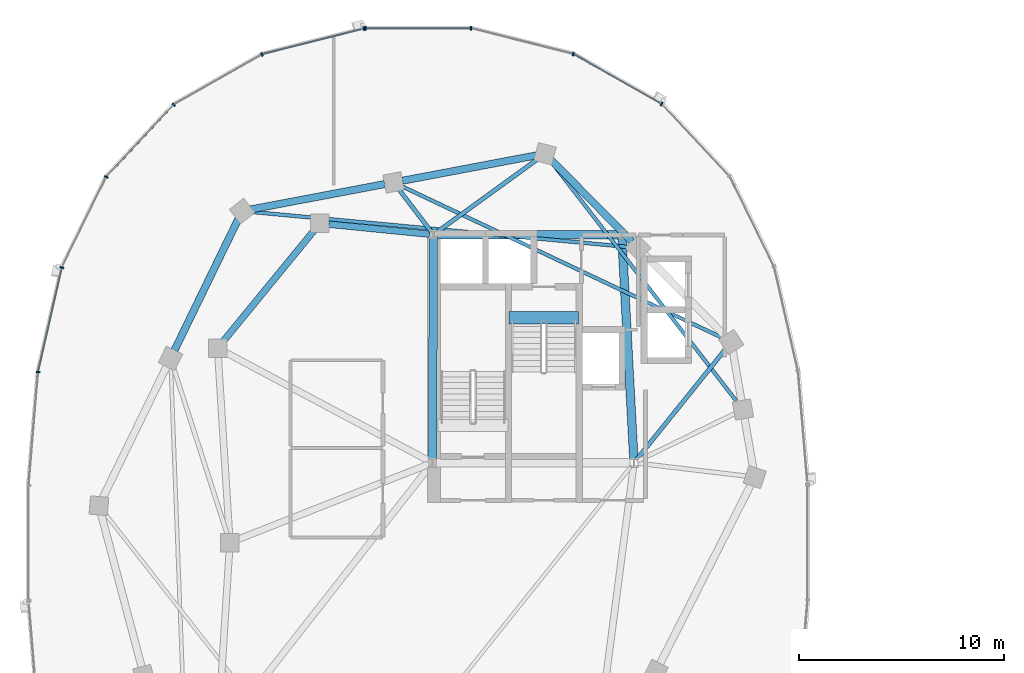
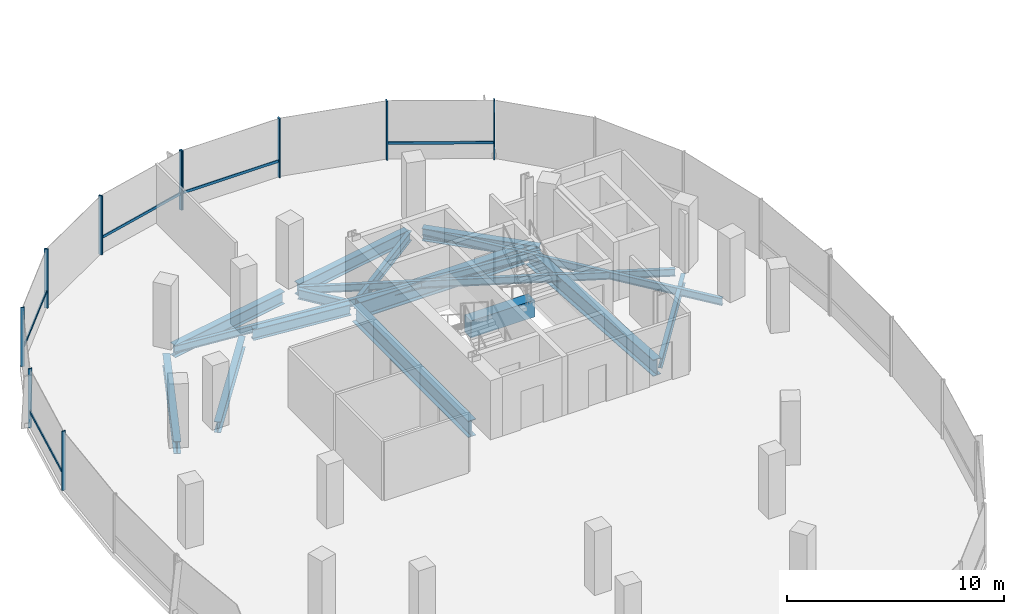
# One storey, part 6 of 24: 16 beams, 15 members, 2 elements without a shape of their own.
"""IFC4 building model written with IfcOpenShell, lengths in metres."""

import ifcopenshell
import ifcopenshell.guid

model = None  # the IFC model being written
_history = None  # IfcOwnerHistory: only IFC2X3 demands one
_inside = {}  # id of a spatial element -> (the spatial element, [elements in it])
_under = {}  # id of a project, library or spatial element -> (it, [spatial elements below it])
_declared = {}  # id of a project -> (the project, [libraries it declares])
_typed = {}  # id of a type object -> (the type object, [elements of that type])
_made_of = {}  # id of a material, layer set ... -> (it, [elements and type objects made of it])


def new_model(schema):
    """Start an empty IFC model of exactly this schema.

    Asked for "IFC4X3", IfcOpenShell would pick the latest addendum, in which some entities
    have other attributes; the version numbers below select the first issue.
    IFC2X3 requires an IfcOwnerHistory on every rooted entity: one is made here for all.
    """
    global model, _history
    if schema == "IFC4X3":
        model = ifcopenshell.file(schema_version=(4, 3, 0, 0))
    else:
        model = ifcopenshell.file(schema=schema)
    _inside.clear()
    _under.clear()
    _declared.clear()
    _typed.clear()
    _made_of.clear()
    _history = None
    if model.schema == "IFC2X3":
        org = make("IfcOrganization", Name="unknown")
        user = make(
            "IfcPersonAndOrganization",
            ThePerson=make("IfcPerson", FamilyName="unknown"),
            TheOrganization=org,
        )
        app = make(
            "IfcApplication",
            ApplicationDeveloper=org,
            Version="unknown",
            ApplicationFullName="unknown",
            ApplicationIdentifier="unknown",
        )
        _history = make(
            "IfcOwnerHistory",
            OwningUser=user,
            OwningApplication=app,
            ChangeAction="ADDED",
            CreationDate=0,
        )
    return model


def make(cls, **values):
    """One entity of the class cls with the attributes given. An attribute that is None is left unset."""
    return model.create_entity(
        cls, **{name: value for name, value in values.items() if value is not None}
    )


def rooted(cls, **values):
    """An entity with a GlobalId (a new one), such as an element, a storey or a relation."""
    return make(cls, GlobalId=ifcopenshell.guid.new(), OwnerHistory=_history, **values)


def si_unit(unit_type, name, prefix=None):
    """IfcSIUnit, for example si_unit("LENGTHUNIT", "METRE", prefix="MILLI")."""
    return make("IfcSIUnit", UnitType=unit_type, Prefix=prefix, Name=name)


def assignment(units):
    """IfcUnitAssignment: the units of a project."""
    return None if units is None else make("IfcUnitAssignment", Units=units)


def point(xyz):
    """IfcCartesianPoint."""
    return None if xyz is None else make("IfcCartesianPoint", Coordinates=xyz)


def direction(xyz):
    """IfcDirection."""
    return None if xyz is None else make("IfcDirection", DirectionRatios=xyz)


def frame(location, z_axis=None, x_axis=None):
    """IfcAxis2Placement3D, a coordinate frame: its origin and axes. An axis left out is left unset."""
    return make(
        "IfcAxis2Placement3D",
        Location=point(location),
        Axis=direction(z_axis),
        RefDirection=direction(x_axis),
    )


def frame_2d(location, x_axis=None):
    """IfcAxis2Placement2D, a coordinate frame in the plane: its origin and x axis."""
    return make(
        "IfcAxis2Placement2D", Location=point(location), RefDirection=direction(x_axis)
    )


def origin():
    """The frame at (0, 0, 0) with its axes left unset."""
    return frame((0.0, 0.0, 0.0))


def origin_2d():
    """The frame at (0, 0) in the plane with its x axis left unset."""
    return frame_2d((0.0, 0.0))


def place(relative_to, where):
    """IfcLocalPlacement: puts the frame where relative to a parent placement (None: the world)."""
    return make(
        "IfcLocalPlacement", PlacementRelTo=relative_to, RelativePlacement=where
    )


def context(
    kind, dimensions, precision=None, world=None, true_north=None, identifier=None
):
    """IfcGeometricRepresentationContext, for example the 3D "Model" context."""
    return make(
        "IfcGeometricRepresentationContext",
        ContextIdentifier=identifier,
        ContextType=kind,
        CoordinateSpaceDimension=dimensions,
        Precision=precision,
        WorldCoordinateSystem=world,
        TrueNorth=true_north,
    )


def subcontext(parent, identifier, kind, view, scale=None):
    """IfcGeometricRepresentationSubContext, for example "Body" below "Model"."""
    return make(
        "IfcGeometricRepresentationSubContext",
        ContextIdentifier=identifier,
        ContextType=kind,
        ParentContext=parent,
        TargetScale=scale,
        TargetView=view,
    )


def project(units=None, contexts=None):
    """IfcProject with its units and contexts."""
    return rooted(
        "IfcProject",
        Name="project",
        RepresentationContexts=contexts,
        UnitsInContext=assignment(units),
    )


def spatial(cls, under=None, at=None, **own):
    """A site, building, storey or space (cls), placed at a placement, below another one or the project."""
    s = rooted(cls, ObjectPlacement=at, **own)
    if under is not None:
        _under.setdefault(under.id(), (under, []))[1].append(s)
    return s


def profile(cls, at=None, kind="AREA", **sizes):
    """A parametric profile (cls). Its sizes go by their IFC names, for example OverallWidth=200.0."""
    return make(cls, ProfileType=kind, Position=at, **sizes)


def rectangle(**sizes):
    """IfcRectangleProfileDef."""
    return profile("IfcRectangleProfileDef", **sizes)


def i_section(**sizes):
    """IfcIShapeProfileDef."""
    return profile("IfcIShapeProfileDef", **sizes)


def extrude(swept, where, along, depth):
    """IfcExtrudedAreaSolid: the profile swept, set in the frame where, extruded along a direction by depth."""
    return make(
        "IfcExtrudedAreaSolid",
        SweptArea=swept,
        Position=where,
        ExtrudedDirection=direction(along),
        Depth=depth,
    )


def shape(context_of_items, identifier, shape_type, items):
    """IfcShapeRepresentation: the items that make up one representation, for example the "Body"."""
    return make(
        "IfcShapeRepresentation",
        ContextOfItems=context_of_items,
        RepresentationIdentifier=identifier,
        RepresentationType=shape_type,
        Items=items,
    )


def material(Name=None, Category=None):
    """IfcMaterial."""
    return make("IfcMaterial", Name=Name, Category=Category)


def material_profile(
    of_material, cross_section, Name=None, Category=None, Priority=None
):
    """IfcMaterialProfile: a cross section and its material."""
    return make(
        "IfcMaterialProfile",
        Name=Name,
        Material=of_material,
        Profile=cross_section,
        Priority=Priority,
        Category=Category,
    )


def profile_set(profiles, Name=None, composite=None):
    """IfcMaterialProfileSet."""
    return make(
        "IfcMaterialProfileSet",
        Name=Name,
        MaterialProfiles=profiles,
        CompositeProfile=composite,
    )


def made_of(thing, what):
    """Note that an element or type object is made of a material, layer set ...; save() writes the relation."""
    if what is not None:
        _made_of.setdefault(what.id(), (what, []))[1].append(thing)
    return thing


def type_object(cls, material=None, **own):
    """A type object (cls), such as IfcWallType, which elements share."""
    return made_of(rooted(cls, **own), material)


def element(
    cls,
    number,
    at=None,
    inside=None,
    cuts=None,
    type_object=None,
    material=None,
    context=None,
    identifier="Body",
    shape_type=None,
    held_by="IfcProductDefinitionShape",
    body=None,
    shapes=None,
    **own,
):
    """One element of the class cls, such as IfcWall. Its Tag is "e" and its number.

    at: its placement. inside: the storey or other place that contains it. cuts: it is an
    opening in that element (IfcRelVoidsElement). A single representation is given by context,
    identifier, shape_type and body (its items); several are given by shapes. held_by: the class
    of the entity that holds the representations. save() writes the other relations.
    """
    e = rooted(cls, Tag="e%d" % number, ObjectPlacement=at, **own)
    if body is not None:
        shapes = [shape(context, identifier, shape_type, body)]
    if shapes is not None:
        e.Representation = make(held_by, Representations=shapes)
    if inside is not None:
        _inside.setdefault(inside.id(), (inside, []))[1].append(e)
    if cuts is not None:
        rooted(
            "IfcRelVoidsElement", RelatingBuildingElement=cuts, RelatedOpeningElement=e
        )
    if type_object is not None:
        _typed.setdefault(type_object.id(), (type_object, []))[1].append(e)
    return made_of(e, material)


def aggregate(whole, parts):
    """IfcRelAggregates: a whole, such as a stair, and the parts it consists of."""
    return rooted("IfcRelAggregates", RelatingObject=whole, RelatedObjects=parts)


def save(model, path):
    """Write the relations noted so far, then the file.

    IfcRelAggregates (storeys below a building ...), IfcRelContainedInSpatialStructure (elements
    in a storey), IfcRelDefinesByType, IfcRelAssociatesMaterial and IfcRelDeclares: one each for
    every whole, place, type object, material and project.
    """
    for whole, parts in _under.values():
        aggregate(whole, parts)
    for where, things in _inside.values():
        rooted(
            "IfcRelContainedInSpatialStructure",
            RelatedElements=things,
            RelatingStructure=where,
        )
    for kind, things in _typed.values():
        rooted("IfcRelDefinesByType", RelatedObjects=things, RelatingType=kind)
    for what, things in _made_of.values():
        rooted("IfcRelAssociatesMaterial", RelatedObjects=things, RelatingMaterial=what)
    for by, libraries in _declared.values():
        rooted("IfcRelDeclares", RelatingContext=by, RelatedDefinitions=libraries)
    model.write(path)


model = new_model("IFC4")

# Units and contexts
model_context = context("Model", 3, precision=1e-05, world=origin(), true_north=direction((0.0, 1.0)))
body_context = subcontext(model_context, "Body", "Model", "MODEL_VIEW")
ifc_project = project(units=[si_unit("LENGTHUNIT", "METRE"), si_unit("AREAUNIT", "SQUARE_METRE"), si_unit("VOLUMEUNIT", "CUBIC_METRE"), si_unit("PLANEANGLEUNIT", "RADIAN"), si_unit("MASSUNIT", "GRAM", prefix="KILO"), si_unit("THERMODYNAMICTEMPERATUREUNIT", "KELVIN"), si_unit("POWERUNIT", "WATT")], contexts=[model_context])

# Site, building, storey
site_placement = place(None, origin())
site = spatial("IfcSite", under=ifc_project, at=site_placement, CompositionType="ELEMENT")
building_placement = place(site_placement, origin())
building = spatial("IfcBuilding", under=site, at=building_placement, Name="Cundina Bronze Exchange", CompositionType="ELEMENT")
storey_placement = place(building_placement, frame((0.0, 0.0, 231.39990234375)))
storey = spatial("IfcBuildingStorey", under=building, at=storey_placement, Name="L61", CompositionType="ELEMENT", Elevation=231.39990234375)

# Beams
ifc_material_1 = material(Name="Concrete C60/75", Category="concrete")
ifc_material_profile_1 = material_profile(ifc_material_1, rectangle(XDim=0.60009765625, YDim=0.949951171875, at=origin_2d()), Name="RC600X950", Category="concrete")
ifc_profile_set_1 = profile_set([ifc_material_profile_1], Name="Concrete C60/75")
beam_type_1 = type_object("IfcBeamType", Name="BM-COUP-RC950", PredefinedType="LINTEL", material=ifc_profile_set_1)
beam_1_placement = place(storey_placement, frame((-27.56005859375, 10.97998046875, -0.474853515625), z_axis=(1.0, 0.0, 0.0), x_axis=(0.0, 1.0, 0.0)))
element("IfcBeam", 1, at=beam_1_placement, inside=storey, type_object=beam_type_1, Name="L61 Stair W2 Landing Header Beam", PredefinedType="LINTEL", context=body_context, shape_type="SweptSolid", body=[
    extrude(rectangle(XDim=0.60009765625, YDim=0.949951171875, at=origin_2d()), origin(), (0.0, 0.0, 1.0), 3.400146484375),
])
ifc_material_2 = material(Name="Steel ASTM A992 Grade 50", Category="steel")
ifc_material_profile_2 = material_profile(ifc_material_2, i_section(OverallWidth=0.2119140625, OverallDepth=0.5439453125, WebThickness=0.01318359375, FlangeThickness=0.021240234375, FilletRadius=0.013916015625, at=origin_2d()), Name="W21X83", Category="steel")
ifc_profile_set_2 = profile_set([ifc_material_profile_2], Name="Steel ASTM A992 Grade 50")
beam_type_2 = type_object("IfcBeamType", Name="BM-FLR-W21A", PredefinedType="BEAM", material=ifc_profile_set_2)
beam_2_placement = place(storey_placement, frame((-21.3271484375, 4.052734375, -0.531982421875), z_axis=(0.627128630072, 0.778915708755, 0.0), x_axis=(-0.778915708755, 0.627128630072, 0.0)))
element("IfcBeam", 2, at=beam_2_placement, inside=storey, type_object=beam_type_2, Name="L61 Leg W Radial Floor Beam 02", PredefinedType="BEAM", context=body_context, shape_type="SweptSolid", body=[
    extrude(i_section(OverallWidth=0.2119140625, OverallDepth=0.5439453125, WebThickness=0.01318359375, FlangeThickness=0.021240234375, FilletRadius=0.013916015625, at=origin_2d()), origin(), (0.0, 0.0, 1.0), 6.9404296875),
])
beam_3_placement = place(storey_placement, frame((-31.09130859375, 15.1650390625, -0.531982421875), z_axis=(0.809709858543, 0.586830422677, 0.0), x_axis=(-0.586830422677, 0.809709858543, 0.0)))
element("IfcBeam", 3, at=beam_3_placement, inside=storey, type_object=beam_type_2, Name="L61 Leg W Radial Floor Beam 04", PredefinedType="BEAM", context=body_context, shape_type="SweptSolid", body=[
    extrude(i_section(OverallWidth=0.2119140625, OverallDepth=0.5439453125, WebThickness=0.01318359375, FlangeThickness=0.021240234375, FilletRadius=0.013916015625, at=origin_2d()), origin(), (0.0, 0.0, 1.0), 6.096923828125),
])
beam_4_placement = place(storey_placement, frame((-31.369140625, 15.205810546875, -0.531982421875), z_axis=(-0.60740437517, 0.794392802727, 0.0), x_axis=(-0.794392802727, -0.60740437517, 0.0)))
element("IfcBeam", 4, at=beam_4_placement, inside=storey, type_object=beam_type_2, Name="L61 Leg W Radial Floor Beam 05", PredefinedType="BEAM", context=body_context, shape_type="SweptSolid", body=[
    extrude(i_section(OverallWidth=0.2119140625, OverallDepth=0.5439453125, WebThickness=0.01318359375, FlangeThickness=0.021240234375, FilletRadius=0.013916015625, at=origin_2d()), origin(), (0.0, 0.0, 1.0), 2.575927734375),
])
ifc_material_profile_3 = material_profile(ifc_material_2, i_section(OverallWidth=0.178955078125, OverallDepth=0.409912109375, WebThickness=0.0087890625, FlangeThickness=0.014404296875, FilletRadius=0.010986328125, at=origin_2d()), Name="W16X45", Category="steel")
ifc_profile_set_3 = profile_set([ifc_material_profile_3], Name="Steel ASTM A992 Grade 50")
beam_type_3 = type_object("IfcBeamType", Name="BM-JST-W16", PredefinedType="JOIST", material=ifc_profile_set_3)
beam_5_placement = place(storey_placement, frame((-16.39306640625, 6.846435546875, -0.46484375), z_axis=(-0.612085793291, 0.790791364174, 0.0), x_axis=(-0.790791364174, -0.612085793291, 0.0)))
element("IfcBeam", 5, at=beam_5_placement, inside=storey, type_object=beam_type_3, Name="L61 Leg W Lobe Floor Joist 01-04", PredefinedType="JOIST", context=body_context, shape_type="SweptSolid", body=[
    extrude(i_section(OverallWidth=0.178955078125, OverallDepth=0.409912109375, WebThickness=0.0087890625, FlangeThickness=0.014404296875, FilletRadius=0.010986328125, at=origin_2d()), origin(), (0.0, 0.0, 1.0), 14.9306640625),
])
beam_6_placement = place(storey_placement, frame((-17.095947265625, 9.9873046875, -0.46484375), z_axis=(-0.904073747204, 0.427376484632, 0.0), x_axis=(-0.427376484632, -0.904073747204, 0.0)))
element("IfcBeam", 6, at=beam_6_placement, inside=storey, type_object=beam_type_3, Name="L61 Leg W Lobe Floor Joist 02-05", PredefinedType="JOIST", context=body_context, shape_type="SweptSolid", body=[
    extrude(i_section(OverallWidth=0.178955078125, OverallDepth=0.409912109375, WebThickness=0.0087890625, FlangeThickness=0.014404296875, FilletRadius=0.010986328125, at=origin_2d()), origin(), (0.0, 0.0, 1.0), 17.374755859375),
])
beam_7_placement = place(storey_placement, frame((-21.68603515625, 14.440673828125, -0.46484375), z_axis=(-0.9957017803, 0.092617302415, 0.0), x_axis=(-0.092617302415, -0.9957017803, 0.0)))
element("IfcBeam", 7, at=beam_7_placement, inside=storey, type_object=beam_type_3, Name="L61 Leg W Lobe Floor Joist 03-06", PredefinedType="JOIST", context=body_context, shape_type="SweptSolid", body=[
    extrude(i_section(OverallWidth=0.178955078125, OverallDepth=0.409912109375, WebThickness=0.0087890625, FlangeThickness=0.014404296875, FilletRadius=0.010986328125, at=origin_2d()), origin(), (0.0, 0.0, 1.0), 18.5576171875),
])
ifc_material_profile_4 = material_profile(ifc_material_2, i_section(OverallWidth=0.324951171875, OverallDepth=0.615966796875, WebThickness=0.013916015625, FlangeThickness=0.021484375, FilletRadius=0.01611328125, at=origin_2d()), Name="W24X117", Category="steel")
ifc_profile_set_4 = profile_set([ifc_material_profile_4], Name="Steel ASTM A992 Grade 50")
beam_type_4 = type_object("IfcBeamType", Name="BM-RING-W24", PredefinedType="USERDEFINED", material=ifc_profile_set_4)
beam_8_placement = place(storey_placement, frame((-31.445068359375, 15.0693359375, -0.56787109375), z_axis=(-0.995123854478, 0.09863323096, 0.0), x_axis=(-0.09863323096, -0.995123854478, 0.0)))
element("IfcBeam", 8, at=beam_8_placement, inside=storey, type_object=beam_type_4, Name="L61 W Inner Structural Ring Girder 01", ObjectType="GIRDER", PredefinedType="USERDEFINED", context=body_context, shape_type="SweptSolid", body=[
    extrude(i_section(OverallWidth=0.324951171875, OverallDepth=0.615966796875, WebThickness=0.013916015625, FlangeThickness=0.021484375, FilletRadius=0.01611328125, at=origin_2d()), origin(), (0.0, 0.0, 1.0), 4.943115234375),
])
beam_9_placement = place(storey_placement, frame((-37.07763671875, 15.26123046875, -0.56787109375), z_axis=(-0.633912590175, -0.77340469873, 0.0), x_axis=(0.77340469873, -0.633912590175, 0.0)))
element("IfcBeam", 9, at=beam_9_placement, inside=storey, type_object=beam_type_4, Name="L61 W Inner Structural Ring Girder 02", ObjectType="GIRDER", PredefinedType="USERDEFINED", context=body_context, shape_type="SweptSolid", body=[
    extrude(i_section(OverallWidth=0.324951171875, OverallDepth=0.615966796875, WebThickness=0.013916015625, FlangeThickness=0.021484375, FilletRadius=0.01611328125, at=origin_2d()), origin(), (0.0, 0.0, 1.0), 7.01123046875),
])
ifc_material_profile_5 = material_profile(ifc_material_2, i_section(OverallWidth=0.35498046875, OverallDepth=0.695068359375, WebThickness=0.015380859375, FlangeThickness=0.02490234375, FilletRadius=0.01806640625, at=origin_2d()), Name="W27X146", Category="steel")
ifc_profile_set_5 = profile_set([ifc_material_profile_5], Name="Steel ASTM A992 Grade 50")
beam_type_5 = type_object("IfcBeamType", Name="BM-RING-W27", PredefinedType="USERDEFINED", material=ifc_profile_set_5)
beam_10_placement = place(storey_placement, frame((-21.55810546875, 14.71142578125, -0.607421875), z_axis=(-0.703211928763, 0.710980297368, 0.0), x_axis=(-0.710980297368, -0.703211928763, 0.0)))
element("IfcBeam", 10, at=beam_10_placement, inside=storey, type_object=beam_type_5, Name="L61 W Perimeter Ring Girder 03", ObjectType="GIRDER", PredefinedType="USERDEFINED", context=body_context, shape_type="SweptSolid", body=[
    extrude(i_section(OverallWidth=0.35498046875, OverallDepth=0.695068359375, WebThickness=0.015380859375, FlangeThickness=0.02490234375, FilletRadius=0.01806640625, at=origin_2d()), origin(), (0.0, 0.0, 1.0), 5.593994140625),
])
beam_11_placement = place(storey_placement, frame((-26.23046875, 18.918701171875, -0.607421875), z_axis=(-0.982565174657, -0.185918470175, 0.0), x_axis=(0.185918470175, -0.982565174657, 0.0)))
element("IfcBeam", 11, at=beam_11_placement, inside=storey, type_object=beam_type_5, Name="L61 W Perimeter Ring Girder 04", ObjectType="GIRDER", PredefinedType="USERDEFINED", context=body_context, shape_type="SweptSolid", body=[
    extrude(i_section(OverallWidth=0.35498046875, OverallDepth=0.695068359375, WebThickness=0.015380859375, FlangeThickness=0.02490234375, FilletRadius=0.01806640625, at=origin_2d()), origin(), (0.0, 0.0, 1.0), 6.655029296875),
])
beam_12_placement = place(storey_placement, frame((-33.63037109375, 17.5185546875, -0.607421875), z_axis=(-0.982573143022, -0.185876353022, 0.0), x_axis=(0.185876353022, -0.982573143022, 0.0)))
element("IfcBeam", 12, at=beam_12_placement, inside=storey, type_object=beam_type_5, Name="L61 W Perimeter Ring Girder 05", ObjectType="GIRDER", PredefinedType="USERDEFINED", context=body_context, shape_type="SweptSolid", body=[
    extrude(i_section(OverallWidth=0.35498046875, OverallDepth=0.695068359375, WebThickness=0.015380859375, FlangeThickness=0.02490234375, FilletRadius=0.01806640625, at=origin_2d()), origin(), (0.0, 0.0, 1.0), 6.6552734375),
])
beam_13_placement = place(storey_placement, frame((-40.79150390625, 15.80615234375, -0.607421875), z_axis=(-0.437173087764, -0.89937739094, 0.0), x_axis=(0.89937739094, -0.437173087764, 0.0)))
element("IfcBeam", 13, at=beam_13_placement, inside=storey, type_object=beam_type_5, Name="L61 W Perimeter Ring Girder 06", ObjectType="GIRDER", PredefinedType="USERDEFINED", context=body_context, shape_type="SweptSolid", body=[
    extrude(i_section(OverallWidth=0.35498046875, OverallDepth=0.695068359375, WebThickness=0.015380859375, FlangeThickness=0.02490234375, FilletRadius=0.01806640625, at=origin_2d()), origin(), (0.0, 0.0, 1.0), 7.1298828125),
])
ifc_material_profile_6 = material_profile(ifc_material_2, i_section(OverallWidth=0.41796875, OverallDepth=0.927001953125, WebThickness=0.019287109375, FlangeThickness=0.031982421875, FilletRadius=0.02392578125, at=origin_2d()), Name="W36X231", Category="steel")
ifc_profile_set_6 = profile_set([ifc_material_profile_6], Name="Steel ASTM A992 Grade 50")
beam_type_6 = type_object("IfcBeamType", Name="BM-WRN-W36B", PredefinedType="USERDEFINED", material=ifc_profile_set_6)
beam_14_placement = place(storey_placement, frame((-21.46044921875, 4.095703125, -0.723388671875), z_axis=(-0.053749317644, 0.998554460634, 0.0), x_axis=(-0.998554460634, -0.053749317644, 0.0)))
element("IfcBeam", 14, at=beam_14_placement, inside=storey, type_object=beam_type_6, Name="L61 W Core Perimeter Tie Girder 2", ObjectType="GIRDER", PredefinedType="USERDEFINED", context=body_context, shape_type="SweptSolid", body=[
    extrude(i_section(OverallWidth=0.41796875, OverallDepth=0.927001953125, WebThickness=0.019287109375, FlangeThickness=0.031982421875, FilletRadius=0.02392578125, at=origin_2d()), origin(), (0.0, 0.0, 1.0), 10.774169921875),
])
beam_15_placement = place(storey_placement, frame((-22.24609375, 15.050048828125, -0.723388671875), z_axis=(-1.0, 0.0, 0.0), x_axis=(0.0, -1.0, 0.0)))
element("IfcBeam", 15, at=beam_15_placement, inside=storey, type_object=beam_type_6, Name="L61 W Core Perimeter Tie Girder 3", ObjectType="GIRDER", PredefinedType="USERDEFINED", context=body_context, shape_type="SweptSolid", body=[
    extrude(i_section(OverallWidth=0.41796875, OverallDepth=0.927001953125, WebThickness=0.019287109375, FlangeThickness=0.031982421875, FilletRadius=0.02392578125, at=origin_2d()), origin(), (0.0, 0.0, 1.0), 8.807861328125),
])
beam_16_placement = place(storey_placement, frame((-31.2509765625, 14.85400390625, -0.723388671875), z_axis=(-0.004470623654, -0.999990006712, 0.0), x_axis=(0.999990006712, -0.004470623654, 0.0)))
element("IfcBeam", 16, at=beam_16_placement, inside=storey, type_object=beam_type_6, Name="L61 W Core Perimeter Tie Girder 4", ObjectType="GIRDER", PredefinedType="USERDEFINED", context=body_context, shape_type="SweptSolid", body=[
    extrude(i_section(OverallWidth=0.41796875, OverallDepth=0.927001953125, WebThickness=0.019287109375, FlangeThickness=0.031982421875, FilletRadius=0.02392578125, at=origin_2d()), origin(), (0.0, 0.0, 1.0), 10.758056640625),
])

# Curtain wall, members
ifc_material_3 = material(Name="Anodised Bronze Aluminium 6063-T6", Category="aluminium")
curtain_wall_type = type_object("IfcCurtainWallType", Name="CWS-UPP-OFF", PredefinedType="NOTDEFINED", material=ifc_material_3)
curtain_wall_1_placement = place(storey_placement, origin())
curtain_wall_1 = element("IfcCurtainWall", 17, at=curtain_wall_1_placement, inside=storey, type_object=curtain_wall_type, Name="L61 CW-05 Curtain Wall Run CWR-L61-W1", PredefinedType="NOTDEFINED")
ifc_material_profile_7 = material_profile(ifc_material_3, rectangle(XDim=0.070068359375, YDim=0.18994140625, at=origin_2d()), Name="AL70X190", Category="aluminium")
ifc_profile_set_7 = profile_set([ifc_material_profile_7], Name="Anodised Bronze Aluminium 6063-T6")
member_type_1 = type_object("IfcMemberType", Name="CWM-MUL-190", PredefinedType="MULLION", material=ifc_profile_set_7)
member_1_placement = place(storey_placement, frame((-20.100341796875, 21.43115234375, 0.0), z_axis=(0.0, 0.0, 1.0), x_axis=(-0.86958112538, 0.493790103568, 0.0)))
member_1 = element("IfcMember", 18, at=member_1_placement, type_object=member_type_1, Name="CW-05 Mullion 5", PredefinedType="MULLION", context=body_context, shape_type="SweptSolid", body=[
    extrude(rectangle(XDim=0.070068359375, YDim=0.18994140625, at=origin_2d()), origin(), (0.0, 0.0, 1.0), 3.320068359375),
])
member_2_placement = place(storey_placement, frame((-24.422607421875, 23.87548828125, 0.0), z_axis=(0.0, 0.0, 1.0), x_axis=(-0.969744325821, 0.244122802168, 0.0)))
member_2 = element("IfcMember", 19, at=member_2_placement, type_object=member_type_1, Name="CW-05 Mullion 6", PredefinedType="MULLION", context=body_context, shape_type="SweptSolid", body=[
    extrude(rectangle(XDim=0.070068359375, YDim=0.18994140625, at=origin_2d()), origin(), (0.0, 0.0, 1.0), 3.320068359375),
])
member_3_placement = place(storey_placement, frame((-29.419921875, 25.125, 0.0), z_axis=(0.0, 0.0, 1.0), x_axis=(-1.0, 0.0, 0.0)))
member_3 = element("IfcMember", 20, at=member_3_placement, type_object=member_type_1, Name="CW-05 Mullion 7", PredefinedType="MULLION", context=body_context, shape_type="SweptSolid", body=[
    extrude(rectangle(XDim=0.070068359375, YDim=0.18994140625, at=origin_2d()), origin(), (0.0, 0.0, 1.0), 3.320068359375),
])
member_4_placement = place(storey_placement, frame((-34.580078125, 25.125, 0.0), z_axis=(0.0, 0.0, 1.0), x_axis=(-1.0, 0.0, 0.0)))
member_4 = element("IfcMember", 21, at=member_4_placement, type_object=member_type_1, Name="CW-05 End Mullion", PredefinedType="MULLION", context=body_context, shape_type="SweptSolid", body=[
    extrude(rectangle(XDim=0.070068359375, YDim=0.18994140625, at=origin_2d()), origin(), (0.0, 0.0, 1.0), 3.320068359375),
])

curtain_wall_2_placement = place(storey_placement, origin())
curtain_wall_2 = element("IfcCurtainWall", 22, at=curtain_wall_2_placement, inside=storey, type_object=curtain_wall_type, Name="L61 CW-05 Curtain Wall Run CWR-L61-W2", PredefinedType="NOTDEFINED")
member_5_placement = place(storey_placement, frame((-34.6484375, 25.116455078125, 0.0), z_axis=(0.0, 0.0, 1.0), x_axis=(-0.969744325821, -0.244122802168, 0.0)))
member_5 = element("IfcMember", 23, at=member_5_placement, type_object=member_type_1, Name="CW-05 Mullion 1", PredefinedType="MULLION", context=body_context, shape_type="SweptSolid", body=[
    extrude(rectangle(XDim=0.070068359375, YDim=0.18994140625, at=origin_2d()), origin(), (0.0, 0.0, 1.0), 3.320068359375),
])
member_6_placement = place(storey_placement, frame((-39.638916015625, 23.850830078125, 0.0), z_axis=(0.0, 0.0, 1.0), x_axis=(-0.86958112538, -0.493790103568, 0.0)))
member_6 = element("IfcMember", 24, at=member_6_placement, type_object=member_type_1, Name="CW-05 Mullion 2", PredefinedType="MULLION", context=body_context, shape_type="SweptSolid", body=[
    extrude(rectangle(XDim=0.070068359375, YDim=0.18994140625, at=origin_2d()), origin(), (0.0, 0.0, 1.0), 3.320068359375),
])
member_7_placement = place(storey_placement, frame((-43.94873046875, 21.392578125, 0.0), z_axis=(0.0, 0.0, 1.0), x_axis=(-0.684292606175, -0.729207535023, 0.0)))
member_7 = element("IfcMember", 25, at=member_7_placement, type_object=member_type_1, Name="CW-05 Mullion 3", PredefinedType="MULLION", context=body_context, shape_type="SweptSolid", body=[
    extrude(rectangle(XDim=0.070068359375, YDim=0.18994140625, at=origin_2d()), origin(), (0.0, 0.0, 1.0), 3.320068359375),
])
member_8_placement = place(storey_placement, frame((-47.245361328125, 17.866455078125, 0.0), z_axis=(0.0, 0.0, 1.0), x_axis=(-0.440566004113, -0.897720221461, 0.0)))
member_8 = element("IfcMember", 26, at=member_8_placement, type_object=member_type_1, Name="CW-05 Mullion 4", PredefinedType="MULLION", context=body_context, shape_type="SweptSolid", body=[
    extrude(rectangle(XDim=0.070068359375, YDim=0.18994140625, at=origin_2d()), origin(), (0.0, 0.0, 1.0), 3.320068359375),
])
member_9_placement = place(storey_placement, frame((-49.40771484375, 13.440673828125, 0.0), z_axis=(0.0, 0.0, 1.0), x_axis=(-0.223250116011, -0.974761194191, 0.0)))
member_9 = element("IfcMember", 27, at=member_9_placement, type_object=member_type_1, Name="CW-05 Mullion 5", PredefinedType="MULLION", context=body_context, shape_type="SweptSolid", body=[
    extrude(rectangle(XDim=0.070068359375, YDim=0.18994140625, at=origin_2d()), origin(), (0.0, 0.0, 1.0), 3.320068359375),
])
member_10_placement = place(storey_placement, frame((-50.572509765625, 8.33056640625, 0.0), z_axis=(0.0, 0.0, 1.0), x_axis=(-0.083677843332, -0.99649285925, 0.0)))
member_10 = element("IfcMember", 28, at=member_10_placement, type_object=member_type_1, Name="CW-05 Mullion 6", PredefinedType="MULLION", context=body_context, shape_type="SweptSolid", body=[
    extrude(rectangle(XDim=0.070068359375, YDim=0.18994140625, at=origin_2d()), origin(), (0.0, 0.0, 1.0), 3.320068359375),
])

# Member
ifc_material_profile_8 = material_profile(ifc_material_3, rectangle(XDim=0.06494140625, YDim=0.14990234375, at=origin_2d()), Name="AL65X150", Category="aluminium")
ifc_profile_set_8 = profile_set([ifc_material_profile_8], Name="Anodised Bronze Aluminium 6063-T6")
member_type_2 = type_object("IfcMemberType", Name="CWM-TRN-150", PredefinedType="USERDEFINED", material=ifc_profile_set_8)
member_11_placement = place(storey_placement, frame((-20.1337890625, 21.4501953125, 0.920166015625), z_axis=(-0.869573748083, 0.493803095013, 0.0), x_axis=(-0.493803095013, -0.869573748083, 0.0)))
member_11 = element("IfcMember", 29, at=member_11_placement, type_object=member_type_2, Name="CW-05 Spandrel Transom 5", ObjectType="TRANSOM", PredefinedType="USERDEFINED", context=body_context, shape_type="SweptSolid", body=[
    extrude(rectangle(XDim=0.06494140625, YDim=0.14990234375, at=origin_2d()), origin(), (0.0, 0.0, 1.0), 4.900146484375),
])

member_12_placement = place(storey_placement, frame((-29.45849609375, 25.125, 0.920166015625), z_axis=(-1.0, 0.0, 0.0), x_axis=(0.0, -1.0, 0.0)))
member_12 = element("IfcMember", 30, at=member_12_placement, type_object=member_type_2, Name="CW-05 Spandrel Transom 7", ObjectType="TRANSOM", PredefinedType="USERDEFINED", context=body_context, shape_type="SweptSolid", body=[
    extrude(rectangle(XDim=0.06494140625, YDim=0.14990234375, at=origin_2d()), origin(), (0.0, 0.0, 1.0), 5.0830078125),
])

aggregate(curtain_wall_1, [member_1, member_11, member_2, member_3, member_4, member_12])

member_13_placement = place(storey_placement, frame((-34.685791015625, 25.107177734375, 0.920166015625), z_axis=(-0.969725738797, -0.244196624699, 0.0), x_axis=(0.244196624699, -0.969725738797, 0.0)))
member_13 = element("IfcMember", 31, at=member_13_placement, type_object=member_type_2, Name="CW-05 Spandrel Transom 1", ObjectType="TRANSOM", PredefinedType="USERDEFINED", context=body_context, shape_type="SweptSolid", body=[
    extrude(rectangle(XDim=0.06494140625, YDim=0.14990234375, at=origin_2d()), origin(), (0.0, 0.0, 1.0), 5.082763671875),
])

member_14_placement = place(storey_placement, frame((-43.97509765625, 21.364501953125, 0.920166015625), z_axis=(-0.684336416554, -0.729166420633, 0.0), x_axis=(0.729166420633, -0.684336416554, 0.0)))
member_14 = element("IfcMember", 32, at=member_14_placement, type_object=member_type_2, Name="CW-05 Spandrel Transom 3", ObjectType="TRANSOM", PredefinedType="USERDEFINED", context=body_context, shape_type="SweptSolid", body=[
    extrude(rectangle(XDim=0.06494140625, YDim=0.14990234375, at=origin_2d()), origin(), (0.0, 0.0, 1.0), 4.76513671875),
])

member_15_placement = place(storey_placement, frame((-49.41650390625, 13.403076171875, 0.920166015625), z_axis=(-0.22328343579, -0.974753562344, 0.0), x_axis=(0.974753562344, -0.22328343579, 0.0)))
member_15 = element("IfcMember", 33, at=member_15_placement, type_object=member_type_2, Name="CW-05 Spandrel Transom 5", ObjectType="TRANSOM", PredefinedType="USERDEFINED", context=body_context, shape_type="SweptSolid", body=[
    extrude(rectangle(XDim=0.06494140625, YDim=0.14990234375, at=origin_2d()), origin(), (0.0, 0.0, 1.0), 5.159912109375),
])

aggregate(curtain_wall_2, [member_5, member_13, member_6, member_7, member_14, member_8, member_9, member_15, member_10])

save(model, "model.ifc")
